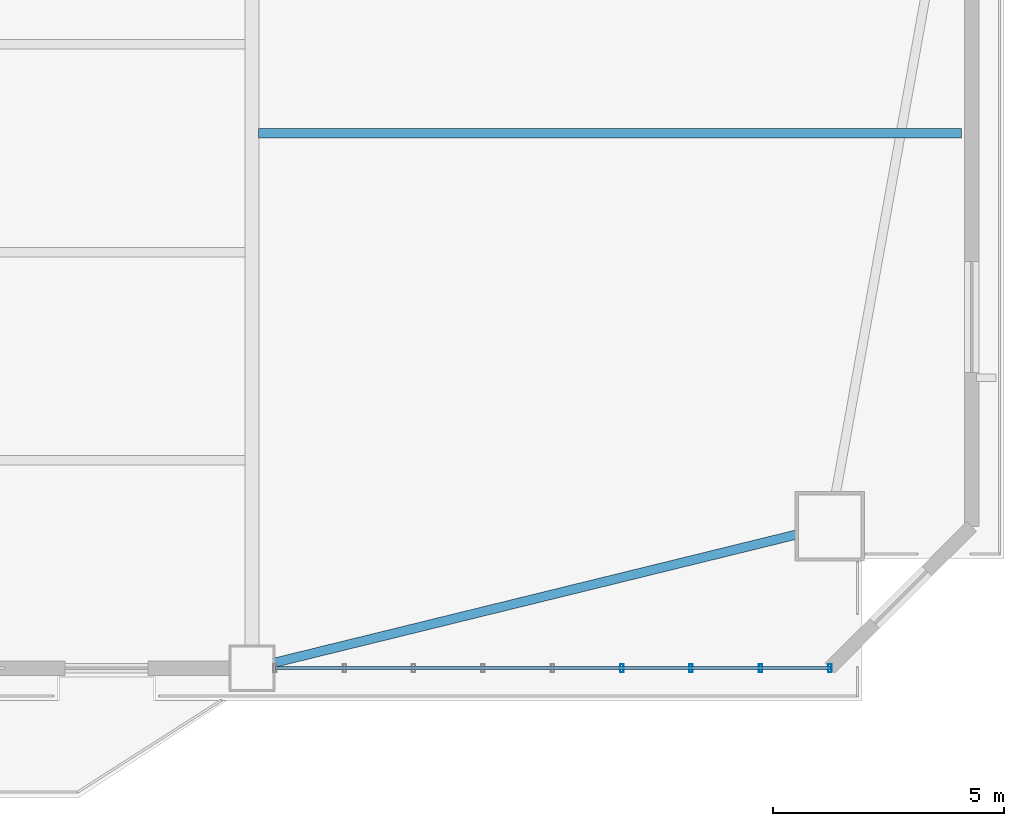
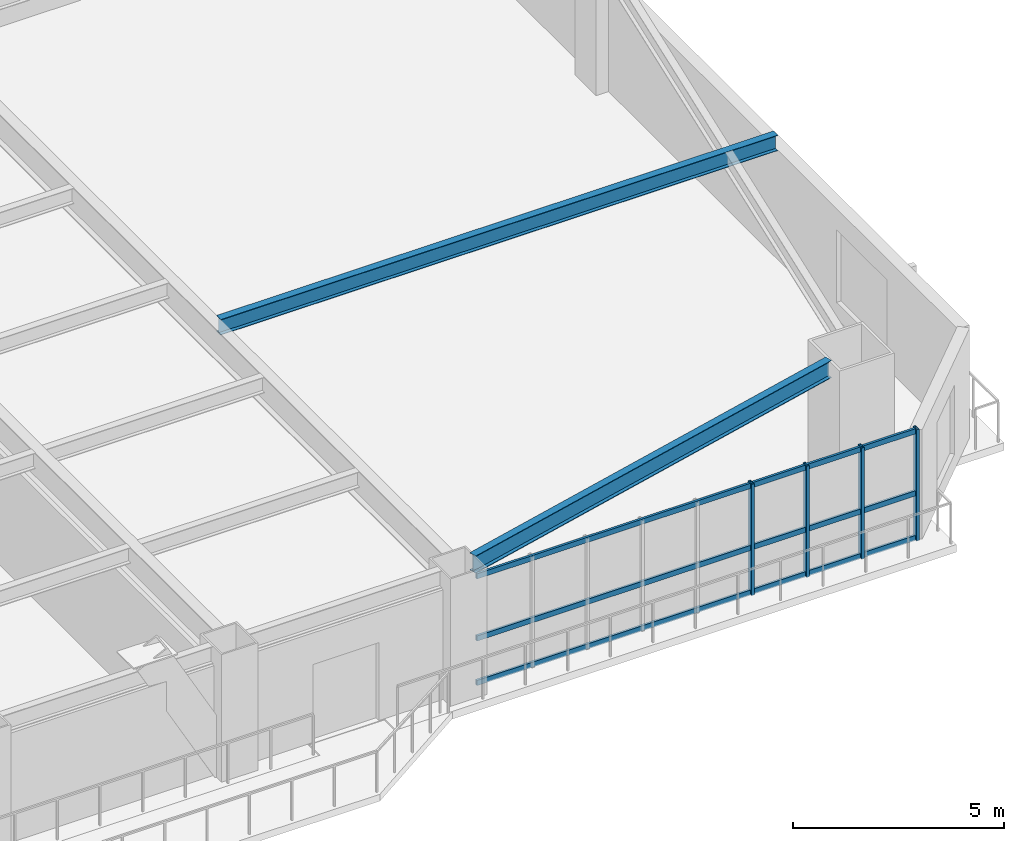
# One storey, part 5 of 16: 7 members, 2 beams, 1 element without a shape of its own.
"""IFC4 building model written with IfcOpenShell, lengths in metres."""

from ifc_helpers import new_model, si_unit, direction, frame, origin, origin_2d, place, context, subcontext, project, spatial, hollow_rectangle, i_section, extrude, source, transform, mapped, material, layer, layer_set, material_profile, profile_set, type_object, element, aggregate, save


model = new_model("IFC4")

# Units and contexts
model_context = context("Model", 3, precision=1e-05, world=origin(), true_north=direction((0.0, 1.0)))
body_context = subcontext(model_context, "Body", "Model", "MODEL_VIEW")
ifc_project = project(units=[si_unit("LENGTHUNIT", "METRE"), si_unit("AREAUNIT", "SQUARE_METRE"), si_unit("VOLUMEUNIT", "CUBIC_METRE"), si_unit("PLANEANGLEUNIT", "RADIAN"), si_unit("MASSUNIT", "GRAM", prefix="KILO")], contexts=[model_context])

# Site, building, storey
site_placement = place(None, origin())
site = spatial("IfcSite", under=ifc_project, at=site_placement, CompositionType="ELEMENT")
building_placement = place(site_placement, origin())
building = spatial("IfcBuilding", under=site, at=building_placement, Name="Giltprow Tower", CompositionType="ELEMENT")
storey_placement = place(building_placement, frame((0.0, 0.0, 87.39990234375)))
storey = spatial("IfcBuildingStorey", under=building, at=storey_placement, Name="L21", CompositionType="ELEMENT", Elevation=87.39990234375)

# Beams
ifc_material_1 = material(Name="Structural steel Q355B", Category="steel")
ifc_material_profile_1 = material_profile(ifc_material_1, i_section(OverallWidth=0.199951171875, OverallDepth=0.5, WebThickness=0.010009765625, FlangeThickness=0.01611328125, at=origin_2d()), Name="HN 500x200x10x16")
ifc_profile_set_1 = profile_set([ifc_material_profile_1], Name="Structural steel Q355B")
beam_type_1 = type_object("IfcBeamType", Name="BM-SPAN-HN500", PredefinedType="SPANDREL", material=ifc_profile_set_1)
shared_shape_1 = source(origin(), body_context, "Body", "SweptSolid", [
    extrude(i_section(OverallWidth=0.199951171875, OverallDepth=0.5, WebThickness=0.010009765625, FlangeThickness=0.01611328125, at=origin_2d()), origin(), (0.0, 0.0, 1.0), 11.6572265625),
])
beam_1_placement = place(storey_placement, frame((51.02099609375, 6.052001953125, 3.43017578125), z_axis=(0.971167309464, 0.238398945109, 0.0), x_axis=(-0.238398945109, 0.971167309464, 0.0)))
element("IfcBeam", 1, at=beam_1_placement, inside=storey, type_object=beam_type_1, Name="L21 Perimeter Spandrel Beam S4-MC_SE", PredefinedType="SPANDREL", context=body_context, shape_type="MappedRepresentation", body=[
    mapped(shared_shape_1, transform((0.0, 0.0, 0.0), x_axis=(1.0, 0.0, 0.0), y_axis=(0.0, 1.0, 0.0), z_axis=(0.0, 0.0, 1.0), scale=1.0)),
])
ifc_material_profile_2 = material_profile(ifc_material_1, i_section(OverallWidth=0.199951171875, OverallDepth=0.449951171875, WebThickness=0.009033203125, FlangeThickness=0.013916015625, at=origin_2d()), Name="HN 450x200x9x14")
ifc_profile_set_2 = profile_set([ifc_material_profile_2], Name="Structural steel Q355B")
beam_type_2 = type_object("IfcBeamType", Name="BM-JOIST-HN450", PredefinedType="JOIST", material=ifc_profile_set_2)
shared_shape_2 = source(origin(), body_context, "Body", "SweptSolid", [
    extrude(i_section(OverallWidth=0.199951171875, OverallDepth=0.449951171875, WebThickness=0.009033203125, FlangeThickness=0.013916015625, at=origin_2d()), origin(), (0.0, 0.0, 1.0), 15.2109375),
])
beam_2_placement = place(storey_placement, frame((50.695068359375, 17.511962890625, 3.455078125), z_axis=(1.0, 0.0, 0.0), x_axis=(0.0, 1.0, 0.0)))
element("IfcBeam", 2, at=beam_2_placement, inside=storey, type_object=beam_type_2, Name="L21 East Wing Floor Joist 1", PredefinedType="JOIST", context=body_context, shape_type="MappedRepresentation", body=[
    mapped(shared_shape_2, transform((0.0, 0.0, 0.0), x_axis=(1.0, 0.0, 0.0), y_axis=(0.0, 1.0, 0.0), z_axis=(0.0, 0.0, 1.0), scale=1.0)),
])

# Curtain wall, members
ifc_material_2 = material(Name="Anodized bronze", Category="metal")
ifc_layer = layer(ifc_material_2, 0.179931640625, Name="Anodized bronze")
ifc_layer_set = layer_set([ifc_layer], Name="Anodized bronze")
curtain_wall_type = type_object("IfcCurtainWallType", Name="CW-OFF-RECESSED", PredefinedType="NOTDEFINED", material=ifc_layer_set)
curtain_wall_placement = place(storey_placement, origin())
curtain_wall = element("IfcCurtainWall", 3, at=curtain_wall_placement, inside=storey, type_object=curtain_wall_type, Name="L21 South Recessed Curtain Wall 6", PredefinedType="NOTDEFINED")
ifc_material_profile_3 = material_profile(ifc_material_2, hollow_rectangle(XDim=0.074951171875, YDim=0.179931640625, WallThickness=0.008056640625, at=origin_2d()), Name="RHS 180x75x8")
ifc_profile_set_3 = profile_set([ifc_material_profile_3], Name="Anodized bronze")
member_type_1 = type_object("IfcMemberType", Name="CW-MULLION-180x75", PredefinedType="MULLION", material=ifc_profile_set_3)
shared_shape_3 = source(origin(), body_context, "Body", "SweptSolid", [
    extrude(hollow_rectangle(XDim=0.074951171875, YDim=0.179931640625, WallThickness=0.008056640625, at=origin_2d()), origin(), (0.0, 0.0, 1.0), 3.215087890625),
])
member_1_placement = place(storey_placement, frame((58.553955078125, 5.93603515625, -0.02001953125), z_axis=(0.0, 0.0, 1.0), x_axis=(1.0, 0.0, 0.0)))
member_1 = element("IfcMember", 4, at=member_1_placement, type_object=member_type_1, Name="L21 South Recessed Curtain Wall 6 Mullion 6", PredefinedType="MULLION", context=body_context, shape_type="MappedRepresentation", body=[
    mapped(shared_shape_3, transform((0.0, 0.0, 0.0), x_axis=(1.0, 0.0, 0.0), y_axis=(0.0, 1.0, 0.0), z_axis=(0.0, 0.0, 1.0), scale=1.0)),
])
member_2_placement = place(storey_placement, frame((60.053955078125, 5.93603515625, -0.02001953125), z_axis=(0.0, 0.0, 1.0), x_axis=(1.0, 0.0, 0.0)))
member_2 = element("IfcMember", 5, at=member_2_placement, type_object=member_type_1, Name="L21 South Recessed Curtain Wall 6 Mullion 7", PredefinedType="MULLION", context=body_context, shape_type="MappedRepresentation", body=[
    mapped(shared_shape_3, transform((0.0, 0.0, 0.0), x_axis=(1.0, 0.0, 0.0), y_axis=(0.0, 1.0, 0.0), z_axis=(0.0, 0.0, 1.0), scale=1.0)),
])
member_3_placement = place(storey_placement, frame((61.554931640625, 5.93603515625, -0.02001953125), z_axis=(0.0, 0.0, 1.0), x_axis=(1.0, 0.0, 0.0)))
member_3 = element("IfcMember", 6, at=member_3_placement, type_object=member_type_1, Name="L21 South Recessed Curtain Wall 6 Mullion 8", PredefinedType="MULLION", context=body_context, shape_type="MappedRepresentation", body=[
    mapped(shared_shape_3, transform((0.0, 0.0, 0.0), x_axis=(1.0, 0.0, 0.0), y_axis=(0.0, 1.0, 0.0), z_axis=(0.0, 0.0, 1.0), scale=1.0)),
])
member_4_placement = place(storey_placement, frame((63.055908203125, 5.93603515625, -0.02001953125), z_axis=(0.0, 0.0, 1.0), x_axis=(1.0, 0.0, 0.0)))
member_4 = element("IfcMember", 7, at=member_4_placement, type_object=member_type_1, Name="L21 South Recessed Curtain Wall 6 Mullion 9", PredefinedType="MULLION", context=body_context, shape_type="MappedRepresentation", body=[
    mapped(shared_shape_3, transform((0.0, 0.0, 0.0), x_axis=(1.0, 0.0, 0.0), y_axis=(0.0, 1.0, 0.0), z_axis=(0.0, 0.0, 1.0), scale=1.0)),
])
ifc_material_profile_4 = material_profile(ifc_material_2, hollow_rectangle(XDim=0.06494140625, YDim=0.14990234375, WallThickness=0.006103515625, at=origin_2d()), Name="RHS 150x65x6")
ifc_profile_set_4 = profile_set([ifc_material_profile_4], Name="Anodized bronze")
member_type_2 = type_object("IfcMemberType", Name="CW-TRANSOM-150x65", PredefinedType="USERDEFINED", material=ifc_profile_set_4)
shared_shape_4 = source(origin(), body_context, "Body", "SweptSolid", [
    extrude(hollow_rectangle(XDim=0.06494140625, YDim=0.14990234375, WallThickness=0.006103515625, at=origin_2d()), origin(), (0.0, 0.0, 1.0), 12.005859375),
])
member_5_placement = place(storey_placement, frame((51.050048828125, 5.93603515625, 0.0400390625), z_axis=(1.0, 0.0, 0.0), x_axis=(0.0, 1.0, 0.0)))
member_5 = element("IfcMember", 8, at=member_5_placement, type_object=member_type_2, Name="L21 South Recessed Curtain Wall 6 Transom 1", ObjectType="TRANSOM", PredefinedType="USERDEFINED", context=body_context, shape_type="MappedRepresentation", body=[
    mapped(shared_shape_4, transform((0.0, 0.0, 0.0), x_axis=(1.0, 0.0, 0.0), y_axis=(0.0, 1.0, 0.0), z_axis=(0.0, 0.0, 1.0), scale=1.0)),
])
member_6_placement = place(storey_placement, frame((51.050048828125, 5.93603515625, 1.3271484375), z_axis=(1.0, 0.0, 0.0), x_axis=(0.0, 1.0, 0.0)))
member_6 = element("IfcMember", 9, at=member_6_placement, type_object=member_type_2, Name="L21 South Recessed Curtain Wall 6 Transom 2", ObjectType="TRANSOM", PredefinedType="USERDEFINED", context=body_context, shape_type="MappedRepresentation", body=[
    mapped(shared_shape_4, transform((0.0, 0.0, 0.0), x_axis=(1.0, 0.0, 0.0), y_axis=(0.0, 1.0, 0.0), z_axis=(0.0, 0.0, 1.0), scale=1.0)),
])
member_7_placement = place(storey_placement, frame((51.050048828125, 5.93603515625, 3.1201171875), z_axis=(1.0, 0.0, 0.0), x_axis=(0.0, 1.0, 0.0)))
member_7 = element("IfcMember", 10, at=member_7_placement, type_object=member_type_2, Name="L21 South Recessed Curtain Wall 6 Transom 3", ObjectType="TRANSOM", PredefinedType="USERDEFINED", context=body_context, shape_type="MappedRepresentation", body=[
    mapped(shared_shape_4, transform((0.0, 0.0, 0.0), x_axis=(1.0, 0.0, 0.0), y_axis=(0.0, 1.0, 0.0), z_axis=(0.0, 0.0, 1.0), scale=1.0)),
])
aggregate(curtain_wall, [member_1, member_2, member_3, member_4, member_5, member_6, member_7])

save(model, "model.ifc")
